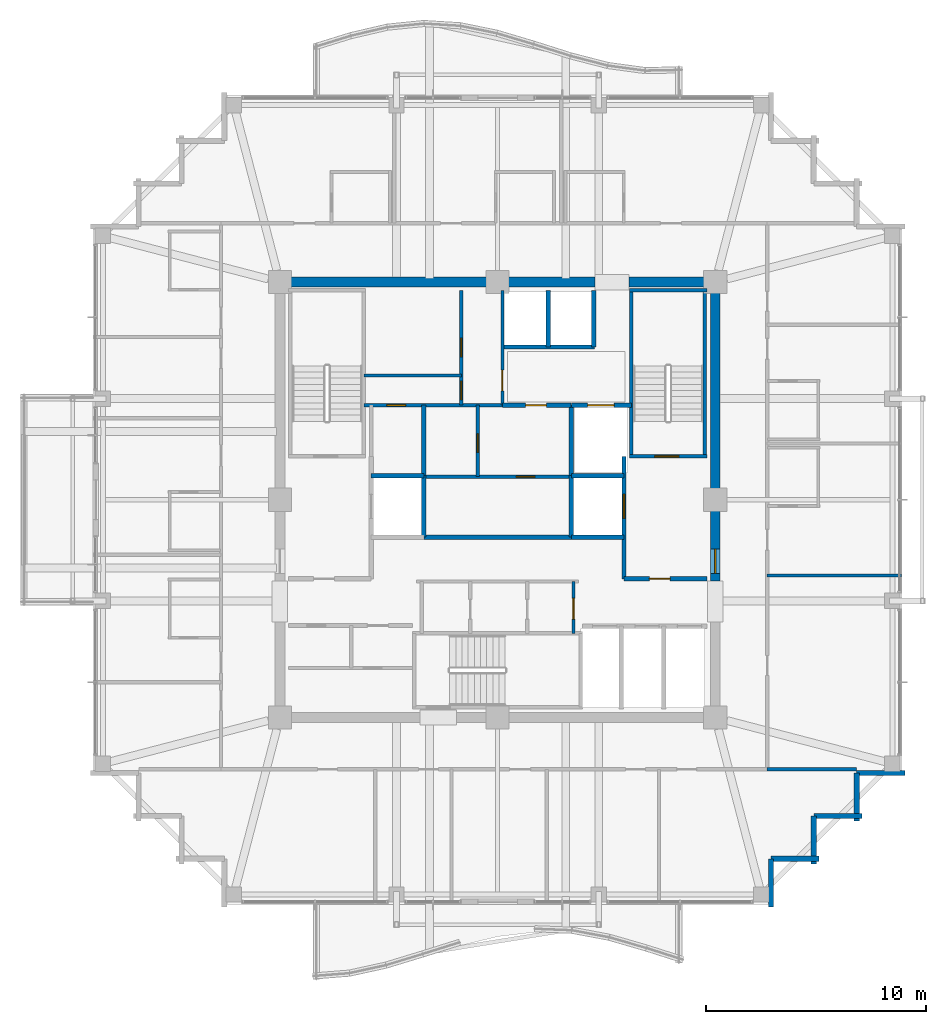
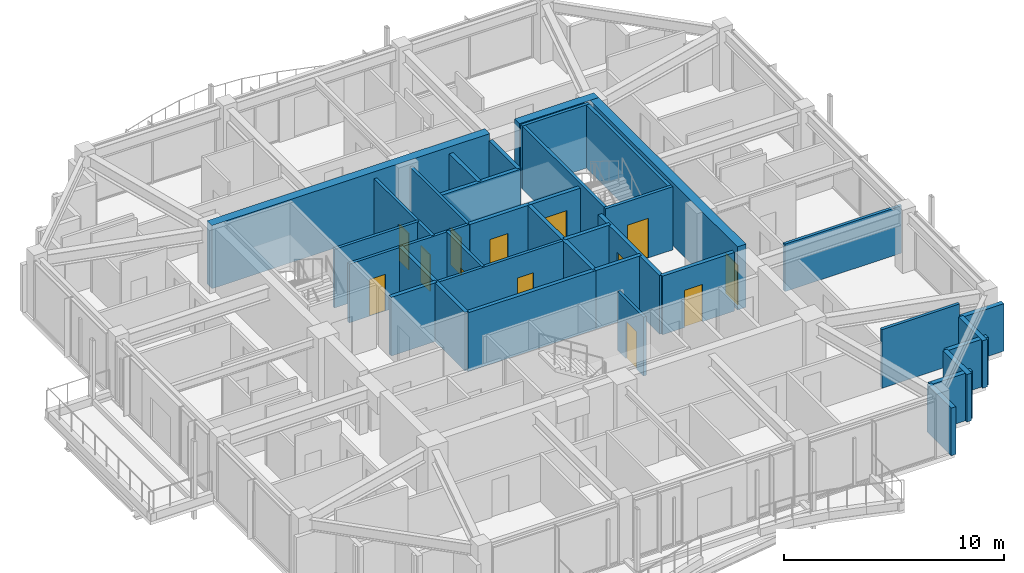
# One storey, part 29 of 34: 37 walls, 13 doors, 13 openings.
"""IFC4 building model written with IfcOpenShell, lengths in metres."""

from ifc_helpers import new_model, si_unit, direction, frame, frame_2d, origin, place, context, subcontext, project, spatial, rectangle, extrude, material, layer, layer_set, type_object, element, fill, save


model = new_model("IFC4")

# Units and contexts
model_context = context("Model", 3, precision=1e-05, world=origin(), true_north=direction((0.0, 1.0)))
body_context = subcontext(model_context, "Body", "Model", "MODEL_VIEW")
ifc_project = project(units=[si_unit("LENGTHUNIT", "METRE"), si_unit("AREAUNIT", "SQUARE_METRE"), si_unit("VOLUMEUNIT", "CUBIC_METRE"), si_unit("PLANEANGLEUNIT", "RADIAN"), si_unit("MASSUNIT", "GRAM", prefix="KILO")], contexts=[model_context])

# Site, building, storey
site_placement = place(None, origin())
site = spatial("IfcSite", under=ifc_project, at=site_placement, CompositionType="ELEMENT")
building_placement = place(site_placement, origin())
building = spatial("IfcBuilding", under=site, at=building_placement, Name="Kolvaren Belvedere", CompositionType="ELEMENT")
storey_placement = place(building_placement, frame((0.0, 0.0, 240.89990234375)))
storey = spatial("IfcBuildingStorey", under=building, at=storey_placement, Name="L70", CompositionType="ELEMENT", Elevation=240.89990234375)

# Walls
ifc_material_1 = material(Name="Concrete C50/60", Category="concrete")
ifc_layer_1 = layer(ifc_material_1, 0.449951171875)
ifc_layer_set_1 = layer_set([ifc_layer_1], Name="Concrete C50/60")
wall_type_1 = type_object("IfcWallType", Name="CW-CORE-450", PredefinedType="SHEAR", material=ifc_layer_set_1)
wall_1_placement = place(storey_placement, frame((-10.125, 9.89990234375, 0.0), z_axis=(0.0, 0.0, 1.0), x_axis=(1.0, 0.0, 0.0)))
element("IfcWall", 1, at=wall_1_placement, inside=storey, type_object=wall_type_1, Name="L70 North Core Shear Wall 1", PredefinedType="SHEAR", context=body_context, shape_type="SweptSolid", body=[
    extrude(rectangle(XDim=14.544921875, YDim=0.449951171875, at=frame_2d((7.2724609375, 0.0))), origin(), (0.0, 0.0, 1.0), 3.5),
])
wall_2_placement = place(storey_placement, frame((5.97998046875, 9.89990234375, 0.0), z_axis=(0.0, 0.0, 1.0), x_axis=(1.0, 0.0, 0.0)))
element("IfcWall", 2, at=wall_2_placement, inside=storey, type_object=wall_type_1, Name="L70 North Core Shear Wall 2", PredefinedType="SHEAR", context=body_context, shape_type="SweptSolid", body=[
    extrude(rectangle(XDim=4.14501953125, YDim=0.449951171875, at=frame_2d((2.072509765625, 0.0))), origin(), (0.0, 0.0, 1.0), 3.5),
])

# Wall, opening, door
wall_3_placement = place(storey_placement, frame((9.89990234375, -3.699951171875, 0.0), z_axis=(0.0, 0.0, 1.0), x_axis=(0.0, 1.0, 0.0)))
wall_3 = element("IfcWall", 3, at=wall_3_placement, inside=storey, type_object=wall_type_1, Name="L70 East Core Shear Wall 2", PredefinedType="SHEAR", context=body_context, shape_type="SweptSolid", body=[
    extrude(rectangle(XDim=13.375, YDim=0.449951171875, at=frame_2d((6.6875, 0.0))), origin(), (0.0, 0.0, 1.0), 3.5),
])
opening_1_placement = place(wall_3_placement, frame((0.35009765625, 0.0, 0.0)))
opening_1 = element("IfcOpeningElement", 4, at=opening_1_placement, cuts=wall_3, Name="Opening D-FD90", PredefinedType="OPENING", context=body_context, shape_type="SweptSolid", body=[
    extrude(rectangle(XDim=1.10009765625, YDim=2.199951171875, at=frame_2d((0.550048828125, 1.10009765625))), frame((0.0, 0.23486328125, 0.0), z_axis=(0.0, -1.0, 0.0), x_axis=(1.0, 0.0, 0.0)), (0.0, 0.0, 1.0), 0.469970703125),
])
ifc_material_2 = material(Name="Painted hollow stainless steel", Category="steel")
door_type_1 = type_object("IfcDoorType", Name="DR-FD90-1100", OperationType="NOTDEFINED", PredefinedType="DOOR", material=ifc_material_2)
door_1_placement = place(opening_1_placement, origin())
door_1 = element("IfcDoor", 5, at=door_1_placement, inside=storey, type_object=door_type_1, Name="L70 East Firefighting Lobby Fire Door", OperationType="SINGLE_SWING_RIGHT", OverallHeight=2.199951171875, OverallWidth=1.10009765625, PredefinedType="DOOR", context=body_context, shape_type="SweptSolid", body=[
    extrude(rectangle(XDim=1.10009765625, YDim=2.199951171875, at=frame_2d((0.550048828125, 1.10009765625))), frame((0.0, 0.02490234375, 0.0), z_axis=(0.0, -1.0, 0.0), x_axis=(1.0, 0.0, 0.0)), (0.0, 0.0, 1.0), 0.050048828125),
])
fill(opening_1, door_1)

ifc_material_3 = material(Name="Concrete C50/60", Category="concrete")
ifc_layer_2 = layer(ifc_material_3, 0.159912109375)
ifc_layer_set_2 = layer_set([ifc_layer_2], Name="Concrete C50/60")
wall_type_2 = type_object("IfcWallType", Name="CW-STAIR-160", PredefinedType="SHEAR", material=ifc_layer_set_2)
wall_4_placement = place(storey_placement, frame((6.0, 1.969970703125, 0.0), z_axis=(0.0, 0.0, 1.0), x_axis=(1.0, 0.0, 0.0)))
wall_4 = element("IfcWall", 6, at=wall_4_placement, inside=storey, type_object=wall_type_2, Name="L70 Stair ST-2 South Shear Wall", PredefinedType="SHEAR", context=body_context, shape_type="SweptSolid", body=[
    extrude(rectangle(XDim=3.52001953125, YDim=0.159912109375, at=frame_2d((1.760009765625, 0.0))), origin(), (0.0, 0.0, 1.0), 3.5),
])
opening_2_placement = place(wall_4_placement, frame((1.14990234375, 0.0, 0.0)))
opening_2 = element("IfcOpeningElement", 7, at=opening_2_placement, cuts=wall_4, Name="Opening D-FD90", PredefinedType="OPENING", context=body_context, shape_type="SweptSolid", body=[
    extrude(rectangle(XDim=1.10009765625, YDim=2.199951171875, at=frame_2d((0.550048828125, 1.10009765625))), frame((0.0, 0.08984375, 0.0), z_axis=(0.0, -1.0, 0.0), x_axis=(1.0, 0.0, 0.0)), (0.0, 0.0, 1.0), 0.179931640625),
])
door_2_placement = place(opening_2_placement, origin())
door_2 = element("IfcDoor", 8, at=door_2_placement, inside=storey, type_object=door_type_1, Name="L70 Stair ST-2 Fire Door", OperationType="SINGLE_SWING_RIGHT", OverallHeight=2.199951171875, OverallWidth=1.10009765625, PredefinedType="DOOR", context=body_context, shape_type="SweptSolid", body=[
    extrude(rectangle(XDim=1.10009765625, YDim=2.199951171875, at=frame_2d((0.550048828125, 1.10009765625))), frame((0.0, 0.02490234375, 0.0), z_axis=(0.0, -1.0, 0.0), x_axis=(1.0, 0.0, 0.0)), (0.0, 0.0, 1.0), 0.050048828125),
])
fill(opening_2, door_2)

# Walls
wall_5_placement = place(storey_placement, frame((6.0, 9.530029296875, 0.0), z_axis=(0.0, 0.0, 1.0), x_axis=(1.0, 0.0, 0.0)))
element("IfcWall", 9, at=wall_5_placement, inside=storey, type_object=wall_type_2, Name="L70 Stair ST-2 North Shear Wall", PredefinedType="SHEAR", context=body_context, shape_type="SweptSolid", body=[
    extrude(rectangle(XDim=3.52001953125, YDim=0.159912109375, at=frame_2d((1.760009765625, 0.0))), origin(), (0.0, 0.0, 1.0), 3.5),
])
for number, where, z_axis, x_axis, name in (
    (10, (6.080078125, 1.969970703125, 0.0), (0.0, 0.0, 1.0), (0.0, 1.0, 0.0), "L70 Stair ST-2 West Shear Wall"),
    (11, (9.429931640625, 1.969970703125, 0.0), (0.0, 0.0, 1.0), (0.0, 1.0, 0.0), "L70 Stair ST-2 East Shear Wall"),
):
    element("IfcWall", number, at=place(storey_placement, frame(where, z_axis=z_axis, x_axis=x_axis)), inside=storey, type_object=wall_type_2, Name=name, PredefinedType="SHEAR", context=body_context, shape_type="SweptSolid", body=[
        extrude(rectangle(XDim=7.56005859375, YDim=0.159912109375, at=frame_2d((3.780029296875, 0.0))), origin(), (0.0, 0.0, 1.0), 3.5),
    ])
ifc_material_4 = material(Name="Insulated pale-metal facade wall assembly", Category="aluminium")
ifc_layer_3 = layer(ifc_material_4, 0.239990234375)
ifc_layer_set_3 = layer_set([ifc_layer_3], Name="Insulated pale-metal facade wall assembly")
wall_type_3 = type_object("IfcWallType", Name="WL-EXT-240", PredefinedType="STANDARD", material=ifc_layer_set_3)
wall_6_placement = place(storey_placement, frame((12.429931640625, -16.330078125, 0.0), z_axis=(0.0, 0.0, 1.0), x_axis=(0.0, -1.0, 0.0)))
element("IfcWall", 12, at=wall_6_placement, inside=storey, type_object=wall_type_3, Name="L70 Serrated Corner Facade Wall 2", PredefinedType="STANDARD", context=body_context, shape_type="SweptSolid", body=[
    extrude(rectangle(XDim=2.18994140625, YDim=0.239990234375, at=frame_2d((1.094970703125, 0.0))), origin(), (0.0, 0.0, 1.0), 2.633056640625),
])
for number, where, z_axis, x_axis, name in (
    (13, (14.6201171875, -16.330078125, 0.0), (0.0, 0.0, 1.0), (-1.0, 0.0, 0.0), "L70 Serrated Corner Facade Wall 3"),
    (14, (14.3798828125, -14.3798828125, 0.0), (0.0, 0.0, 1.0), (0.0, -1.0, 0.0), "L70 Serrated Corner Facade Wall 4"),
    (15, (16.570068359375, -14.3798828125, 0.0), (0.0, 0.0, 1.0), (-1.0, 0.0, 0.0), "L70 Serrated Corner Facade Wall 5"),
    (16, (16.330078125, -12.429931640625, 0.0), (0.0, 0.0, 1.0), (0.0, -1.0, 0.0), "L70 Serrated Corner Facade Wall 6"),
):
    element("IfcWall", number, at=place(storey_placement, frame(where, z_axis=z_axis, x_axis=x_axis)), inside=storey, type_object=wall_type_3, Name=name, PredefinedType="STANDARD", context=body_context, shape_type="SweptSolid", body=[
        extrude(rectangle(XDim=2.190185546875, YDim=0.239990234375, at=frame_2d((1.09521484375, 0.0))), origin(), (0.0, 0.0, 1.0), 2.633056640625),
    ])
wall_7_placement = place(storey_placement, frame((18.52001953125, -12.429931640625, 0.0), z_axis=(0.0, 0.0, 1.0), x_axis=(-1.0, 0.0, 0.0)))
element("IfcWall", 17, at=wall_7_placement, inside=storey, type_object=wall_type_3, Name="L70 Serrated Corner Facade Wall 7", PredefinedType="STANDARD", context=body_context, shape_type="SweptSolid", body=[
    extrude(rectangle(XDim=2.18994140625, YDim=0.239990234375, at=frame_2d((1.094970703125, 0.0))), origin(), (0.0, 0.0, 1.0), 2.633056640625),
])

# Wall, opening, door
ifc_material_5 = material(Name="Gypsum acoustic partition assembly", Category="gypsum")
ifc_layer_4 = layer(ifc_material_5, 0.14990234375)
ifc_layer_set_4 = layer_set([ifc_layer_4], Name="Gypsum acoustic partition assembly")
wall_type_4 = type_object("IfcWallType", Name="WL-PART-150", PredefinedType="PARTITIONING", material=ifc_layer_set_4)
wall_8_placement = place(storey_placement, frame((-6.080078125, 4.300048828125, 0.0), z_axis=(0.0, 0.0, 1.0), x_axis=(1.0, 0.0, 0.0)))
wall_8 = element("IfcWall", 18, at=wall_8_placement, inside=storey, type_object=wall_type_4, Name="L70 Reclaimed Salon South Wall", PredefinedType="PARTITIONING", context=body_context, shape_type="SweptSolid", body=[
    extrude(rectangle(XDim=6.300048828125, YDim=0.14990234375, at=frame_2d((3.14990234375, 0.0))), origin(), (0.0, 0.0, 1.0), 3.25),
])
opening_3_placement = place(wall_8_placement, frame((1.050048828125, 0.0, 0.0)))
opening_3 = element("IfcOpeningElement", 19, at=opening_3_placement, cuts=wall_8, Name="Opening D-INT85", PredefinedType="OPENING", context=body_context, shape_type="SweptSolid", body=[
    extrude(rectangle(XDim=0.85009765625, YDim=2.030029296875, at=frame_2d((0.425048828125, 1.01513671875))), frame((0.0, 0.0849609375, 0.0), z_axis=(0.0, -1.0, 0.0), x_axis=(1.0, 0.0, 0.0)), (0.0, 0.0, 1.0), 0.169921875),
])
ifc_material_6 = material(Name="Stained Pacific white oak", Category="timber")
door_type_2 = type_object("IfcDoorType", Name="DR-INT-850", OperationType="NOTDEFINED", PredefinedType="DOOR", material=ifc_material_6)
door_3_placement = place(opening_3_placement, origin())
door_3 = element("IfcDoor", 20, at=door_3_placement, inside=storey, type_object=door_type_2, Name="L70 NW Core Store Door", OperationType="SINGLE_SWING_RIGHT", OverallHeight=2.030029296875, OverallWidth=0.85009765625, PredefinedType="DOOR", context=body_context, shape_type="SweptSolid", body=[
    extrude(rectangle(XDim=0.85009765625, YDim=2.030029296875, at=frame_2d((0.425048828125, 1.01513671875))), frame((0.0, 0.02490234375, 0.0), z_axis=(0.0, -1.0, 0.0), x_axis=(1.0, 0.0, 0.0)), (0.0, 0.0, 1.0), 0.050048828125),
])
fill(opening_3, door_3)

wall_9_placement = place(storey_placement, frame((0.219970703125, 4.300048828125, 0.0), z_axis=(0.0, 0.0, 1.0), x_axis=(0.0, 1.0, 0.0)))
wall_9 = element("IfcWall", 21, at=wall_9_placement, inside=storey, type_object=wall_type_4, Name="L70 Reclaimed Salon East Wall", PredefinedType="PARTITIONING", context=body_context, shape_type="SweptSolid", body=[
    extrude(rectangle(XDim=5.219970703125, YDim=0.14990234375, at=frame_2d((2.60986328125, 0.0))), origin(), (0.0, 0.0, 1.0), 3.25),
])
opening_4_placement = place(wall_9_placement, frame((0.64990234375, 0.0, 0.0)))
opening_4 = element("IfcOpeningElement", 22, at=opening_4_placement, cuts=wall_9, Name="Opening D-INT95", PredefinedType="OPENING", context=body_context, shape_type="SweptSolid", body=[
    extrude(rectangle(XDim=0.949951171875, YDim=2.06005859375, at=frame_2d((0.47509765625, 1.030029296875))), frame((0.0, 0.0849609375, 0.0), z_axis=(0.0, -1.0, 0.0), x_axis=(1.0, 0.0, 0.0)), (0.0, 0.0, 1.0), 0.169921875),
])
ifc_material_7 = material(Name="Stained Pacific white oak", Category="timber")
door_type_3 = type_object("IfcDoorType", Name="DR-INT-950", OperationType="NOTDEFINED", PredefinedType="DOOR", material=ifc_material_7)
door_4_placement = place(opening_4_placement, origin())
door_4 = element("IfcDoor", 23, at=door_4_placement, inside=storey, type_object=door_type_3, Name="L70 Wellness Tearoom Door", OperationType="SINGLE_SWING_LEFT", OverallHeight=2.06005859375, OverallWidth=0.949951171875, PredefinedType="DOOR", context=body_context, shape_type="SweptSolid", body=[
    extrude(rectangle(XDim=0.949951171875, YDim=2.06005859375, at=frame_2d((0.47509765625, 1.030029296875))), frame((0.0, 0.02490234375, 0.0), z_axis=(0.0, -1.0, 0.0), x_axis=(1.0, 0.0, 0.0)), (0.0, 0.0, 1.0), 0.050048828125),
])
fill(opening_4, door_4)

# Wall, openings, doors
wall_10_placement = place(storey_placement, frame((-1.64990234375, 4.300048828125, 0.0), z_axis=(0.0, 0.0, 1.0), x_axis=(0.0, 1.0, 0.0)))
wall_10 = element("IfcWall", 24, at=wall_10_placement, inside=storey, type_object=wall_type_4, Name="L70 Reclaimed Tearoom V-Divider", PredefinedType="PARTITIONING", context=body_context, shape_type="SweptSolid", body=[
    extrude(rectangle(XDim=5.219970703125, YDim=0.14990234375, at=frame_2d((2.60986328125, 0.0))), origin(), (0.0, 0.0, 1.0), 3.25),
])
opening_5_placement = place(wall_10_placement, frame((2.199951171875, 0.0, 0.0)))
opening_5 = element("IfcOpeningElement", 25, at=opening_5_placement, cuts=wall_10, Name="Opening D-INT85", PredefinedType="OPENING", context=body_context, shape_type="SweptSolid", body=[
    extrude(rectangle(XDim=0.85009765625, YDim=2.030029296875, at=frame_2d((0.425048828125, 1.01513671875))), frame((0.0, 0.0849609375, 0.0), z_axis=(0.0, -1.0, 0.0), x_axis=(1.0, 0.0, 0.0)), (0.0, 0.0, 1.0), 0.169921875),
])
opening_6_placement = place(wall_10_placement, frame((0.25, 0.0, 0.0)))
opening_6 = element("IfcOpeningElement", 26, at=opening_6_placement, cuts=wall_10, Name="Opening D-INT85", PredefinedType="OPENING", context=body_context, shape_type="SweptSolid", body=[
    extrude(rectangle(XDim=0.85009765625, YDim=2.030029296875, at=frame_2d((0.425048828125, 1.01513671875))), frame((0.0, 0.0849609375, 0.0), z_axis=(0.0, -1.0, 0.0), x_axis=(1.0, 0.0, 0.0)), (0.0, 0.0, 1.0), 0.169921875),
])
door_5_placement = place(opening_5_placement, origin())
door_5 = element("IfcDoor", 27, at=door_5_placement, inside=storey, type_object=door_type_2, Name="L70 Meditation Room Door", OperationType="SINGLE_SWING_RIGHT", OverallHeight=2.030029296875, OverallWidth=0.85009765625, PredefinedType="DOOR", context=body_context, shape_type="SweptSolid", body=[
    extrude(rectangle(XDim=0.85009765625, YDim=2.030029296875, at=frame_2d((0.425048828125, 1.01513671875))), frame((0.0, 0.02490234375, 0.0), z_axis=(0.0, -1.0, 0.0), x_axis=(1.0, 0.0, 0.0)), (0.0, 0.0, 1.0), 0.050048828125),
])
fill(opening_5, door_5)
door_6_placement = place(opening_6_placement, origin())
door_6 = element("IfcDoor", 28, at=door_6_placement, inside=storey, type_object=door_type_2, Name="L70 Herbal Closet Door", OperationType="SINGLE_SWING_RIGHT", OverallHeight=2.030029296875, OverallWidth=0.85009765625, PredefinedType="DOOR", context=body_context, shape_type="SweptSolid", body=[
    extrude(rectangle(XDim=0.85009765625, YDim=2.030029296875, at=frame_2d((0.425048828125, 1.01513671875))), frame((0.0, 0.02490234375, 0.0), z_axis=(0.0, -1.0, 0.0), x_axis=(1.0, 0.0, 0.0)), (0.0, 0.0, 1.0), 0.050048828125),
])
fill(opening_6, door_6)

# Wall
wall_11_placement = place(storey_placement, frame((-6.080078125, 5.64990234375, 0.0), z_axis=(0.0, 0.0, 1.0), x_axis=(1.0, 0.0, 0.0)))
element("IfcWall", 29, at=wall_11_placement, inside=storey, type_object=wall_type_4, Name="L70 Reclaimed Tearoom H-Divider", PredefinedType="PARTITIONING", context=body_context, shape_type="SweptSolid", body=[
    extrude(rectangle(XDim=4.43017578125, YDim=0.14990234375, at=frame_2d((2.215087890625, 0.0))), origin(), (0.0, 0.0, 1.0), 3.25),
])

# Wall, opening, door
wall_12_placement = place(storey_placement, frame((-3.35009765625, 1.050048828125, 0.0), z_axis=(0.0, 0.0, 1.0), x_axis=(1.0, 0.0, 0.0)))
wall_12 = element("IfcWall", 30, at=wall_12_placement, inside=storey, type_object=wall_type_4, Name="L70 Central Core H-Divider", PredefinedType="PARTITIONING", context=body_context, shape_type="SweptSolid", body=[
    extrude(rectangle(XDim=6.7001953125, YDim=0.14990234375, at=frame_2d((3.35009765625, 0.0))), origin(), (0.0, 0.0, 1.0), 3.25),
])
opening_7_placement = place(wall_12_placement, frame((4.199951171875, 0.0, 0.0)))
opening_7 = element("IfcOpeningElement", 31, at=opening_7_placement, cuts=wall_12, Name="Opening D-INT85", PredefinedType="OPENING", context=body_context, shape_type="SweptSolid", body=[
    extrude(rectangle(XDim=0.85009765625, YDim=2.030029296875, at=frame_2d((0.425048828125, 1.01513671875))), frame((0.0, 0.0849609375, 0.0), z_axis=(0.0, -1.0, 0.0), x_axis=(1.0, 0.0, 0.0)), (0.0, 0.0, 1.0), 0.169921875),
])
door_7_placement = place(opening_7_placement, origin())
door_7 = element("IfcDoor", 32, at=door_7_placement, inside=storey, type_object=door_type_2, Name="L70 Central Metering Door", OperationType="SINGLE_SWING_LEFT", OverallHeight=2.030029296875, OverallWidth=0.85009765625, PredefinedType="DOOR", context=body_context, shape_type="SweptSolid", body=[
    extrude(rectangle(XDim=0.85009765625, YDim=2.030029296875, at=frame_2d((0.425048828125, 1.01513671875))), frame((0.0, 0.02490234375, 0.0), z_axis=(0.0, -1.0, 0.0), x_axis=(1.0, 0.0, 0.0)), (0.0, 0.0, 1.0), 0.050048828125),
])
fill(opening_7, door_7)

wall_13_placement = place(storey_placement, frame((-0.89990234375, 1.050048828125, 0.0), z_axis=(0.0, 0.0, 1.0), x_axis=(0.0, 1.0, 0.0)))
wall_13 = element("IfcWall", 33, at=wall_13_placement, inside=storey, type_object=wall_type_4, Name="L70 Central Core V-Divider", PredefinedType="PARTITIONING", context=body_context, shape_type="SweptSolid", body=[
    extrude(rectangle(XDim=3.25, YDim=0.14990234375, at=frame_2d((1.625, 0.0))), origin(), (0.0, 0.0, 1.0), 3.25),
])
opening_8_placement = place(wall_13_placement, frame((1.10009765625, 0.0, 0.0)))
opening_8 = element("IfcOpeningElement", 34, at=opening_8_placement, cuts=wall_13, Name="Opening D-INT85", PredefinedType="OPENING", context=body_context, shape_type="SweptSolid", body=[
    extrude(rectangle(XDim=0.85009765625, YDim=2.030029296875, at=frame_2d((0.425048828125, 1.01513671875))), frame((0.0, 0.0849609375, 0.0), z_axis=(0.0, -1.0, 0.0), x_axis=(1.0, 0.0, 0.0)), (0.0, 0.0, 1.0), 0.169921875),
])
door_8_placement = place(opening_8_placement, origin())
door_8 = element("IfcDoor", 35, at=door_8_placement, inside=storey, type_object=door_type_2, Name="L70 Central Telecom Door", OperationType="SINGLE_SWING_RIGHT", OverallHeight=2.030029296875, OverallWidth=0.85009765625, PredefinedType="DOOR", context=body_context, shape_type="SweptSolid", body=[
    extrude(rectangle(XDim=0.85009765625, YDim=2.030029296875, at=frame_2d((0.425048828125, 1.01513671875))), frame((0.0, 0.02490234375, 0.0), z_axis=(0.0, -1.0, 0.0), x_axis=(1.0, 0.0, 0.0)), (0.0, 0.0, 1.0), 0.050048828125),
])
fill(opening_8, door_8)

wall_14_placement = place(storey_placement, frame((3.449951171875, -6.080078125, 0.0), z_axis=(0.0, 0.0, 1.0), x_axis=(0.0, 1.0, 0.0)))
wall_14 = element("IfcWall", 36, at=wall_14_placement, inside=storey, type_object=wall_type_4, Name="L70 South Core Service East Wall", PredefinedType="PARTITIONING", context=body_context, shape_type="SweptSolid", body=[
    extrude(rectangle(XDim=2.360107421875, YDim=0.14990234375, at=frame_2d((1.18017578125, 0.0))), origin(), (0.0, 0.0, 1.0), 3.25),
])
opening_9_placement = place(wall_14_placement, frame((0.64990234375, 0.0, 0.0)))
opening_9 = element("IfcOpeningElement", 37, at=opening_9_placement, cuts=wall_14, Name="Opening D-FD60", PredefinedType="OPENING", context=body_context, shape_type="SweptSolid", body=[
    extrude(rectangle(XDim=0.949951171875, YDim=2.06005859375, at=frame_2d((0.47509765625, 1.030029296875))), frame((0.0, 0.0849609375, 0.0), z_axis=(0.0, -1.0, 0.0), x_axis=(1.0, 0.0, 0.0)), (0.0, 0.0, 1.0), 0.169921875),
])
ifc_material_8 = material(Name="Acoustic white-oak fire door leaf", Category="timber")
door_type_4 = type_object("IfcDoorType", Name="DR-FD60-950", OperationType="NOTDEFINED", PredefinedType="DOOR", material=ifc_material_8)
door_9_placement = place(opening_9_placement, origin())
door_9 = element("IfcDoor", 38, at=door_9_placement, inside=storey, type_object=door_type_4, Name="L70 Core Service Room Door", OperationType="SINGLE_SWING_LEFT", OverallHeight=2.06005859375, OverallWidth=0.949951171875, PredefinedType="DOOR", context=body_context, shape_type="SweptSolid", body=[
    extrude(rectangle(XDim=0.949951171875, YDim=2.06005859375, at=frame_2d((0.47509765625, 1.030029296875))), frame((0.0, 0.02490234375, 0.0), z_axis=(0.0, -1.0, 0.0), x_axis=(1.0, 0.0, 0.0)), (0.0, 0.0, 1.0), 0.050048828125),
])
fill(opening_9, door_9)

# Walls
wall_15_placement = place(storey_placement, frame((12.260009765625, -12.260009765625, 0.0), z_axis=(0.0, 0.0, 1.0), x_axis=(1.0, 0.0, 0.0)))
element("IfcWall", 39, at=wall_15_placement, inside=storey, type_object=wall_type_4, Name="L70 Wing Divider PW-L70-QSE", PredefinedType="PARTITIONING", context=body_context, shape_type="SweptSolid", body=[
    extrude(rectangle(XDim=4.06005859375, YDim=0.14990234375, at=frame_2d((2.030029296875, 0.0))), origin(), (0.0, 0.0, 1.0), 3.25),
])
wall_16_placement = place(storey_placement, frame((12.260009765625, -3.43994140625, 0.0), z_axis=(0.0, 0.0, 1.0), x_axis=(1.0, 0.0, 0.0)))
element("IfcWall", 40, at=wall_16_placement, inside=storey, type_object=wall_type_4, Name="L70 East Suite Demising Wall 1", PredefinedType="PARTITIONING", context=body_context, shape_type="SweptSolid", body=[
    extrude(rectangle(XDim=6.119873046875, YDim=0.14990234375, at=frame_2d((3.06005859375, 0.0))), origin(), (0.0, 0.0, 1.0), 2.623046875),
])
ifc_material_9 = material(Name="Concrete C50/60", Category="concrete")
ifc_layer_5 = layer(ifc_material_9, 0.199951171875)
ifc_layer_set_5 = layer_set([ifc_layer_5], Name="Concrete C50/60")
wall_type_5 = type_object("IfcWallType", Name="WL-SHAFT-200", PredefinedType="SOLIDWALL", material=ifc_layer_set_5)
wall_17_placement = place(storey_placement, frame((-3.35009765625, -1.699951171875, 0.0), z_axis=(0.0, 0.0, 1.0), x_axis=(0.0, 1.0, 0.0)))
element("IfcWall", 41, at=wall_17_placement, inside=storey, type_object=wall_type_5, Name="L70 FSAE FS1 Back Wall", PredefinedType="SOLIDWALL", context=body_context, shape_type="SweptSolid", body=[
    extrude(rectangle(XDim=2.800048828125, YDim=0.199951171875, at=frame_2d((1.39990234375, 0.0))), origin(), (0.0, 0.0, 1.0), 3.25),
])
wall_18_placement = place(storey_placement, frame((-5.75, 1.10009765625, 0.0), z_axis=(0.0, 0.0, 1.0), x_axis=(1.0, 0.0, 0.0)))
element("IfcWall", 42, at=wall_18_placement, inside=storey, type_object=wall_type_5, Name="L70 FSAE FS1 North Wall", PredefinedType="SOLIDWALL", context=body_context, shape_type="SweptSolid", body=[
    extrude(rectangle(XDim=2.39990234375, YDim=0.199951171875, at=frame_2d((1.199951171875, 0.0))), origin(), (0.0, 0.0, 1.0), 3.25),
])

# Wall, opening, door
wall_19_placement = place(storey_placement, frame((5.75, -3.60009765625, 0.0), z_axis=(0.0, 0.0, 1.0), x_axis=(1.0, 0.0, 0.0)))
wall_19 = element("IfcWall", 43, at=wall_19_placement, inside=storey, type_object=wall_type_5, Name="L70 East FSAE Lobby South Wall", PredefinedType="SOLIDWALL", context=body_context, shape_type="SweptSolid", body=[
    extrude(rectangle(XDim=3.77001953125, YDim=0.199951171875, at=frame_2d((1.885009765625, 0.0))), origin(), (0.0, 0.0, 1.0), 3.25),
])
opening_10_placement = place(wall_19_placement, frame((1.14990234375, 0.0, 0.0)))
opening_10 = element("IfcOpeningElement", 44, at=opening_10_placement, cuts=wall_19, Name="Opening D-FD60", PredefinedType="OPENING", context=body_context, shape_type="SweptSolid", body=[
    extrude(rectangle(XDim=0.949951171875, YDim=2.06005859375, at=frame_2d((0.47509765625, 1.030029296875))), frame((0.0, 0.10986328125, 0.0), z_axis=(0.0, -1.0, 0.0), x_axis=(1.0, 0.0, 0.0)), (0.0, 0.0, 1.0), 0.219970703125),
])
door_10_placement = place(opening_10_placement, origin())
door_10 = element("IfcDoor", 45, at=door_10_placement, inside=storey, type_object=door_type_4, Name="L70 SE Lift Lobby Fire Door", OperationType="SINGLE_SWING_RIGHT", OverallHeight=2.06005859375, OverallWidth=0.949951171875, PredefinedType="DOOR", context=body_context, shape_type="SweptSolid", body=[
    extrude(rectangle(XDim=0.949951171875, YDim=2.06005859375, at=frame_2d((0.47509765625, 1.030029296875))), frame((0.0, 0.02490234375, 0.0), z_axis=(0.0, -1.0, 0.0), x_axis=(1.0, 0.0, 0.0)), (0.0, 0.0, 1.0), 0.050048828125),
])
fill(opening_10, door_10)

wall_20_placement = place(storey_placement, frame((5.75, -3.60009765625, 0.0), z_axis=(0.0, 0.0, 1.0), x_axis=(0.0, 1.0, 0.0)))
wall_20 = element("IfcWall", 46, at=wall_20_placement, inside=storey, type_object=wall_type_5, Name="L70 FSAE FS2 Landing Wall", PredefinedType="SOLIDWALL", context=body_context, shape_type="SweptSolid", body=[
    extrude(rectangle(XDim=5.570068359375, YDim=0.199951171875, at=frame_2d((2.78515625, 0.0))), origin(), (0.0, 0.0, 1.0), 3.25),
])
opening_11_placement = place(wall_20_placement, frame((2.75, 0.0, 0.0)))
opening_11 = element("IfcOpeningElement", 47, at=opening_11_placement, cuts=wall_20, Name="Opening LD-11", PredefinedType="OPENING", context=body_context, shape_type="SweptSolid", body=[
    extrude(rectangle(XDim=1.10009765625, YDim=2.199951171875, at=frame_2d((0.550048828125, 1.10009765625))), frame((0.0, 0.10986328125, 0.0), z_axis=(0.0, -1.0, 0.0), x_axis=(1.0, 0.0, 0.0)), (0.0, 0.0, 1.0), 0.219970703125),
])
ifc_material_10 = material(Name="Brushed stainless steel", Category="steel")
door_type_5 = type_object("IfcDoorType", Name="DR-LIFT-1100", OperationType="DOUBLE_DOOR_SLIDING", PredefinedType="DOOR", material=ifc_material_10)
door_11_placement = place(opening_11_placement, origin())
door_11 = element("IfcDoor", 48, at=door_11_placement, inside=storey, type_object=door_type_5, Name="L70 Firefighting Lift FS2 Landing Door", OperationType="DOUBLE_DOOR_SLIDING", OverallHeight=2.199951171875, OverallWidth=1.10009765625, PredefinedType="DOOR", context=body_context, shape_type="SweptSolid", body=[
    extrude(rectangle(XDim=1.10009765625, YDim=2.199951171875, at=frame_2d((0.550048828125, 1.10009765625))), frame((0.0, 0.02490234375, 0.0), z_axis=(0.0, -1.0, 0.0), x_axis=(1.0, 0.0, 0.0)), (0.0, 0.0, 1.0), 0.050048828125),
])
fill(opening_11, door_11)

# Walls
wall_21_placement = place(storey_placement, frame((3.35009765625, -1.699951171875, 0.0), z_axis=(0.0, 0.0, 1.0), x_axis=(0.0, 1.0, 0.0)))
element("IfcWall", 49, at=wall_21_placement, inside=storey, type_object=wall_type_5, Name="L70 FSAE FS2 Back Wall", PredefinedType="SOLIDWALL", context=body_context, shape_type="SweptSolid", body=[
    extrude(rectangle(XDim=2.800048828125, YDim=0.199951171875, at=frame_2d((1.39990234375, 0.0))), origin(), (0.0, 0.0, 1.0), 3.25),
])
for number, where, z_axis, x_axis, name in (
    (50, (3.35009765625, -1.699951171875, 0.0), (0.0, 0.0, 1.0), (1.0, 0.0, 0.0), "L70 FSAE FS2 South Wall"),
    (51, (3.35009765625, 1.10009765625, 0.0), (0.0, 0.0, 1.0), (1.0, 0.0, 0.0), "L70 FSAE FS2 North Wall"),
):
    element("IfcWall", number, at=place(storey_placement, frame(where, z_axis=z_axis, x_axis=x_axis)), inside=storey, type_object=wall_type_5, Name=name, PredefinedType="SOLIDWALL", context=body_context, shape_type="SweptSolid", body=[
        extrude(rectangle(XDim=2.39990234375, YDim=0.199951171875, at=frame_2d((1.199951171875, 0.0))), origin(), (0.0, 0.0, 1.0), 3.25),
    ])

# Wall, opening, door
wall_22_placement = place(storey_placement, frame((3.35009765625, 4.300048828125, 0.0), z_axis=(0.0, 0.0, 1.0), x_axis=(1.0, 0.0, 0.0)))
wall_22 = element("IfcWall", 52, at=wall_22_placement, inside=storey, type_object=wall_type_5, Name="L70 Service Lift SV1 Front Wall", PredefinedType="SOLIDWALL", context=body_context, shape_type="SweptSolid", body=[
    extrude(rectangle(XDim=2.72998046875, YDim=0.199951171875, at=frame_2d((1.364990234375, 0.0))), origin(), (0.0, 0.0, 1.0), 3.25),
])
opening_12_placement = place(wall_22_placement, frame((0.75, 0.0, 0.0)))
opening_12 = element("IfcOpeningElement", 53, at=opening_12_placement, cuts=wall_22, Name="Opening LD-12", PredefinedType="OPENING", context=body_context, shape_type="SweptSolid", body=[
    extrude(rectangle(XDim=1.199951171875, YDim=2.25, at=frame_2d((0.60009765625, 1.125))), frame((0.0, 0.10986328125, 0.0), z_axis=(0.0, -1.0, 0.0), x_axis=(1.0, 0.0, 0.0)), (0.0, 0.0, 1.0), 0.219970703125),
])
ifc_material_11 = material(Name="Brushed stainless steel", Category="steel")
door_type_6 = type_object("IfcDoorType", Name="DR-LIFT-1200", OperationType="DOUBLE_DOOR_SLIDING", PredefinedType="DOOR", material=ifc_material_11)
door_12_placement = place(opening_12_placement, origin())
door_12 = element("IfcDoor", 54, at=door_12_placement, inside=storey, type_object=door_type_6, Name="L70 Service Lift SV1 Landing Door", OperationType="DOUBLE_DOOR_SLIDING", OverallHeight=2.25, OverallWidth=1.199951171875, PredefinedType="DOOR", context=body_context, shape_type="SweptSolid", body=[
    extrude(rectangle(XDim=1.199951171875, YDim=2.25, at=frame_2d((0.60009765625, 1.125))), frame((0.0, 0.02490234375, 0.0), z_axis=(0.0, -1.0, 0.0), x_axis=(1.0, 0.0, 0.0)), (0.0, 0.0, 1.0), 0.050048828125),
])
fill(opening_12, door_12)

# Walls
wall_23_placement = place(storey_placement, frame((0.219970703125, 6.949951171875, 0.0), z_axis=(0.0, 0.0, 1.0), x_axis=(1.0, 0.0, 0.0)))
element("IfcWall", 55, at=wall_23_placement, inside=storey, type_object=wall_type_5, Name="L70 Express Shuttle Hoistway Wall", PredefinedType="SOLIDWALL", context=body_context, shape_type="SweptSolid", body=[
    extrude(rectangle(XDim=4.179931640625, YDim=0.199951171875, at=frame_2d((2.08984375, 0.0))), origin(), (0.0, 0.0, 1.0), 3.25),
])
for number, where, z_axis, x_axis, name in (
    (56, (4.3798828125, 6.949951171875, 0.0), (0.0, 0.0, 1.0), (0.0, 1.0, 0.0), "L70 Express Shuttle East Wall"),
    (57, (2.31005859375, 6.949951171875, 0.0), (0.0, 0.0, 1.0), (0.0, 1.0, 0.0), "L70 Express Shuttle Divider"),
):
    element("IfcWall", number, at=place(storey_placement, frame(where, z_axis=z_axis, x_axis=x_axis)), inside=storey, type_object=wall_type_5, Name=name, PredefinedType="SOLIDWALL", context=body_context, shape_type="SweptSolid", body=[
        extrude(rectangle(XDim=2.570068359375, YDim=0.199951171875, at=frame_2d((1.28515625, 0.0))), origin(), (0.0, 0.0, 1.0), 3.25),
    ])

# Wall, opening, door
wall_24_placement = place(storey_placement, frame((0.219970703125, 4.300048828125, 0.0), z_axis=(0.0, 0.0, 1.0), x_axis=(1.0, 0.0, 0.0)))
wall_24 = element("IfcWall", 58, at=wall_24_placement, inside=storey, type_object=wall_type_5, Name="L70 Central Core Room North Wall", PredefinedType="SOLIDWALL", context=body_context, shape_type="SweptSolid", body=[
    extrude(rectangle(XDim=3.130126953125, YDim=0.199951171875, at=frame_2d((1.56494140625, 0.0))), origin(), (0.0, 0.0, 1.0), 3.25),
])
opening_13_placement = place(wall_24_placement, frame((1.050048828125, 0.0, 0.0)))
opening_13 = element("IfcOpeningElement", 59, at=opening_13_placement, cuts=wall_24, Name="Opening D-FD60", PredefinedType="OPENING", context=body_context, shape_type="SweptSolid", body=[
    extrude(rectangle(XDim=0.949951171875, YDim=2.06005859375, at=frame_2d((0.47509765625, 1.030029296875))), frame((0.0, 0.10986328125, 0.0), z_axis=(0.0, -1.0, 0.0), x_axis=(1.0, 0.0, 0.0)), (0.0, 0.0, 1.0), 0.219970703125),
])
door_13_placement = place(opening_13_placement, origin())
door_13 = element("IfcDoor", 60, at=door_13_placement, inside=storey, type_object=door_type_4, Name="L70 Central Core Controls Door", OperationType="SINGLE_SWING_LEFT", OverallHeight=2.06005859375, OverallWidth=0.949951171875, PredefinedType="DOOR", context=body_context, shape_type="SweptSolid", body=[
    extrude(rectangle(XDim=0.949951171875, YDim=2.06005859375, at=frame_2d((0.47509765625, 1.030029296875))), frame((0.0, 0.02490234375, 0.0), z_axis=(0.0, -1.0, 0.0), x_axis=(1.0, 0.0, 0.0)), (0.0, 0.0, 1.0), 0.050048828125),
])
fill(opening_13, door_13)

# Walls
wall_25_placement = place(storey_placement, frame((-3.35009765625, -1.699951171875, 0.0), z_axis=(0.0, 0.0, 1.0), x_axis=(1.0, 0.0, 0.0)))
element("IfcWall", 61, at=wall_25_placement, inside=storey, type_object=wall_type_5, Name="L70 Central Core Room South Wall", PredefinedType="SOLIDWALL", context=body_context, shape_type="SweptSolid", body=[
    extrude(rectangle(XDim=6.7001953125, YDim=0.199951171875, at=frame_2d((3.35009765625, 0.0))), origin(), (0.0, 0.0, 1.0), 3.25),
])
for number, where, z_axis, x_axis, name in (
    (62, (-3.35009765625, 1.10009765625, 0.0), (0.0, 0.0, 1.0), (0.0, 1.0, 0.0), "L70 Central Core Room West Wall"),
    (63, (3.35009765625, 1.10009765625, 0.0), (0.0, 0.0, 1.0), (0.0, 1.0, 0.0), "L70 Central Core Room East Wall"),
):
    element("IfcWall", number, at=place(storey_placement, frame(where, z_axis=z_axis, x_axis=x_axis)), inside=storey, type_object=wall_type_5, Name=name, PredefinedType="SOLIDWALL", context=body_context, shape_type="SweptSolid", body=[
        extrude(rectangle(XDim=3.199951171875, YDim=0.199951171875, at=frame_2d((1.60009765625, 0.0))), origin(), (0.0, 0.0, 1.0), 3.25),
    ])

save(model, "model.ifc")
